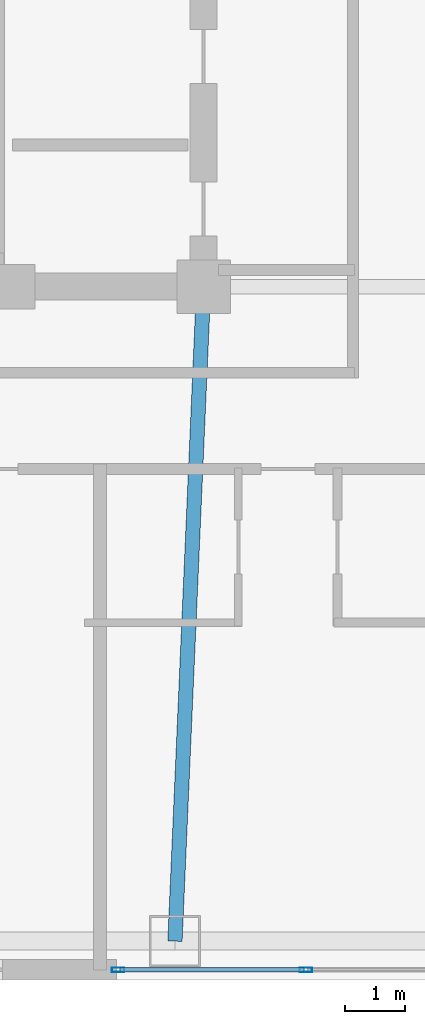
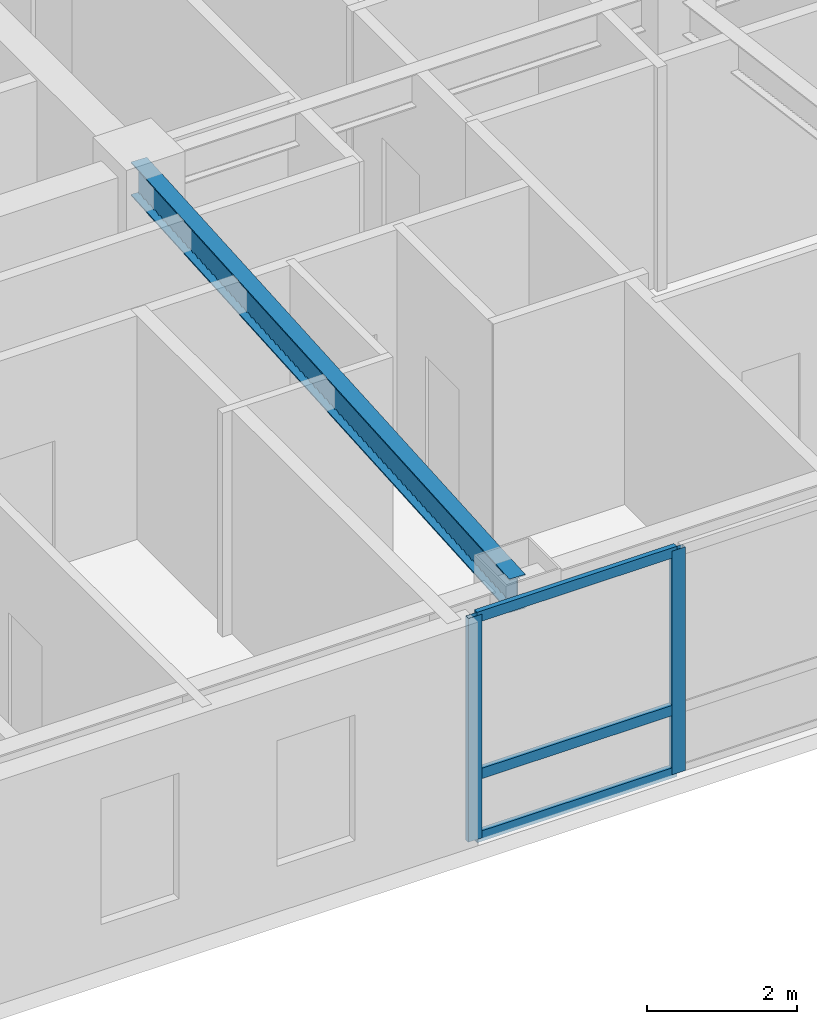
# One storey, part 2 of 17: 5 members, 1 beam, 1 element without a shape of its own.
"""IFC4 building model written with IfcOpenShell, lengths in metres."""

from ifc_helpers import new_model, si_unit, direction, frame, origin, origin_2d, place, context, subcontext, project, spatial, hollow_rectangle, i_section, extrude, material, layer, layer_set, material_profile, profile_set, type_object, element, aggregate, save


model = new_model("IFC4")

# Units and contexts
model_context = context("Model", 3, precision=1e-05, world=origin(), true_north=direction((0.0, 1.0)))
body_context = subcontext(model_context, "Body", "Model", "MODEL_VIEW")
ifc_project = project(units=[si_unit("LENGTHUNIT", "METRE"), si_unit("AREAUNIT", "SQUARE_METRE"), si_unit("VOLUMEUNIT", "CUBIC_METRE"), si_unit("PLANEANGLEUNIT", "RADIAN"), si_unit("MASSUNIT", "GRAM", prefix="KILO")], contexts=[model_context])

# Site, building, storey
site_placement = place(None, origin())
site = spatial("IfcSite", under=ifc_project, at=site_placement, CompositionType="ELEMENT")
building_placement = place(site_placement, origin())
building = spatial("IfcBuilding", under=site, at=building_placement, Name="Voryun Gate Residences", CompositionType="ELEMENT")
storey_placement = place(building_placement, frame((0.0, 0.0, 204.10009765625)))
storey = spatial("IfcBuildingStorey", under=building, at=storey_placement, Name="L50", CompositionType="ELEMENT", Elevation=204.10009765625)

# Beam
ifc_material_1 = material(Name="Steel SM355", Category="steel")
ifc_material_profile_1 = material_profile(ifc_material_1, i_section(OverallWidth=0.239990234375, OverallDepth=0.550048828125, WebThickness=0.011962890625, FlangeThickness=0.02001953125, FilletRadius=0.01806640625, at=origin_2d()), Name="H-550x240x12x20")
ifc_profile_set_1 = profile_set([ifc_material_profile_1], Name="Steel SM355")
beam_type = type_object("IfcBeamType", Name="BM_GIRD_550", PredefinedType="USERDEFINED", material=ifc_profile_set_1)
beam_placement = place(storey_placement, frame((-12.39990234375, -7.39990234375, 3.375), z_axis=(-0.043791002488, -0.999040713936, 0.0), x_axis=(0.999040713936, -0.043791002488, 0.0)))
element("IfcBeam", 1, at=beam_placement, inside=storey, type_object=beam_type, Name="BM-L50-RAD-S2", ObjectType="GIRDER", PredefinedType="USERDEFINED", context=body_context, shape_type="SweptSolid", body=[
    extrude(i_section(OverallWidth=0.239990234375, OverallDepth=0.550048828125, WebThickness=0.011962890625, FlangeThickness=0.02001953125, FilletRadius=0.01806640625, at=origin_2d()), origin(), (0.0, 0.0, 1.0), 10.960693359375),
])

# Curtain wall, members
ifc_material_2 = material(Name="Anodised aluminium", Category="aluminium")
ifc_layer = layer(ifc_material_2, 0.2099609375, Name="CW_SYS_SKYGARDEN_DARK_GLASS")
ifc_layer_set = layer_set([ifc_layer], Name="Anodised aluminium")
curtain_wall_type = type_object("IfcCurtainWallType", Name="CW_SYS_SKYGARDEN_DARK_GLASS", PredefinedType="NOTDEFINED", material=ifc_layer_set)
curtain_wall_placement = place(storey_placement, origin())
curtain_wall = element("IfcCurtainWall", 2, at=curtain_wall_placement, inside=storey, type_object=curtain_wall_type, Name="Curtain wall CW5-L50-SG-01", PredefinedType="NOTDEFINED")
ifc_material_3 = material(Name="Anodised aluminium", Category="aluminium")
ifc_material_profile_2 = material_profile(ifc_material_3, hollow_rectangle(XDim=0.074951171875, YDim=0.2099609375, WallThickness=0.0048828125, at=origin_2d()), Name="ALU-MULL-210x75x5")
ifc_profile_set_2 = profile_set([ifc_material_profile_2], Name="Anodised aluminium")
member_type_1 = type_object("IfcMemberType", Name="CW_MULL_SKY", PredefinedType="MULLION", material=ifc_profile_set_2)
member_1_placement = place(storey_placement, frame((-10.68896484375, -18.830078125, 0.0), z_axis=(0.0, 0.0, 1.0), x_axis=(0.0, -1.0, 0.0)))
member_1 = element("IfcMember", 3, at=member_1_placement, type_object=member_type_1, Name="CW5 mullion 10", PredefinedType="MULLION", context=body_context, shape_type="SweptSolid", body=[
    extrude(hollow_rectangle(XDim=0.074951171875, YDim=0.2099609375, WallThickness=0.0048828125, at=origin_2d()), origin(), (0.0, 0.0, 1.0), 3.64990234375),
])
member_2_placement = place(storey_placement, frame((-13.831298828125, -18.830078125, 0.0), z_axis=(0.0, 0.0, 1.0), x_axis=(0.0, -1.0, 0.0)))
member_2 = element("IfcMember", 4, at=member_2_placement, type_object=member_type_1, Name="CW5 mullion 11", PredefinedType="MULLION", context=body_context, shape_type="SweptSolid", body=[
    extrude(hollow_rectangle(XDim=0.074951171875, YDim=0.2099609375, WallThickness=0.0048828125, at=origin_2d()), origin(), (0.0, 0.0, 1.0), 3.64990234375),
])
ifc_material_4 = material(Name="Anodised aluminium", Category="aluminium")
ifc_material_profile_3 = material_profile(ifc_material_4, hollow_rectangle(XDim=0.074951171875, YDim=0.169921875, WallThickness=0.0048828125, at=origin_2d()), Name="ALU-TRAN-170x75x5")
ifc_profile_set_3 = profile_set([ifc_material_profile_3], Name="Anodised aluminium")
member_type_2 = type_object("IfcMemberType", Name="CW_TRAN_SKY", PredefinedType="USERDEFINED", material=ifc_profile_set_3)
member_3_placement = place(storey_placement, frame((-10.718994140625, -18.830078125, 0.02978515625), z_axis=(-1.0, 0.0, 0.0), x_axis=(0.0, -1.0, 0.0)))
member_3 = element("IfcMember", 5, at=member_3_placement, type_object=member_type_2, Name="CW5 transom 10.1", ObjectType="TRANSOM", PredefinedType="USERDEFINED", context=body_context, shape_type="SweptSolid", body=[
    extrude(hollow_rectangle(XDim=0.074951171875, YDim=0.169921875, WallThickness=0.0048828125, at=origin_2d()), origin(), (0.0, 0.0, 1.0), 3.082275390625),
])
member_4_placement = place(storey_placement, frame((-10.718994140625, -18.830078125, 1.0498046875), z_axis=(-1.0, 0.0, 0.0), x_axis=(0.0, -1.0, 0.0)))
member_4 = element("IfcMember", 6, at=member_4_placement, type_object=member_type_2, Name="CW5 transom 10.2", ObjectType="TRANSOM", PredefinedType="USERDEFINED", context=body_context, shape_type="SweptSolid", body=[
    extrude(hollow_rectangle(XDim=0.074951171875, YDim=0.169921875, WallThickness=0.0048828125, at=origin_2d()), origin(), (0.0, 0.0, 1.0), 3.082275390625),
])
member_5_placement = place(storey_placement, frame((-10.718994140625, -18.830078125, 3.619873046875), z_axis=(-1.0, 0.0, 0.0), x_axis=(0.0, -1.0, 0.0)))
member_5 = element("IfcMember", 7, at=member_5_placement, type_object=member_type_2, Name="CW5 transom 10.3", ObjectType="TRANSOM", PredefinedType="USERDEFINED", context=body_context, shape_type="SweptSolid", body=[
    extrude(hollow_rectangle(XDim=0.074951171875, YDim=0.169921875, WallThickness=0.0048828125, at=origin_2d()), origin(), (0.0, 0.0, 1.0), 3.082275390625),
])
aggregate(curtain_wall, [member_1, member_2, member_3, member_4, member_5])

save(model, "model.ifc")
